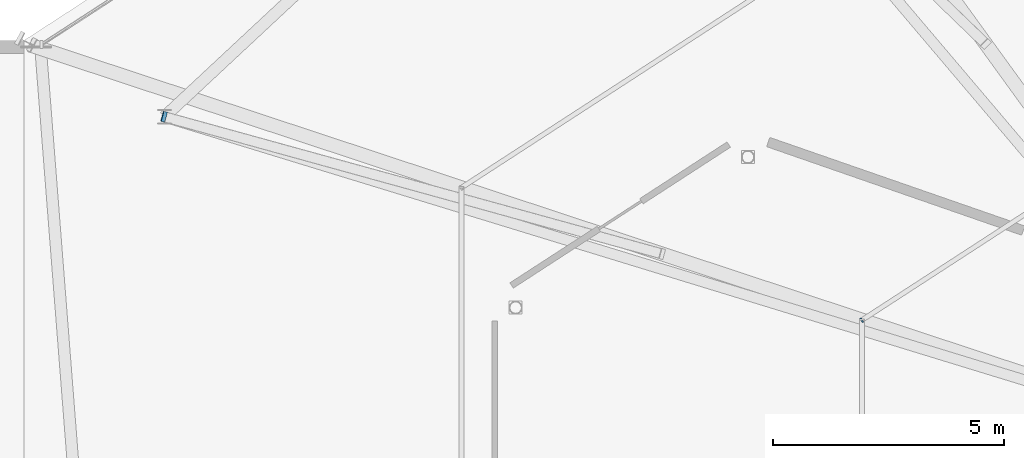
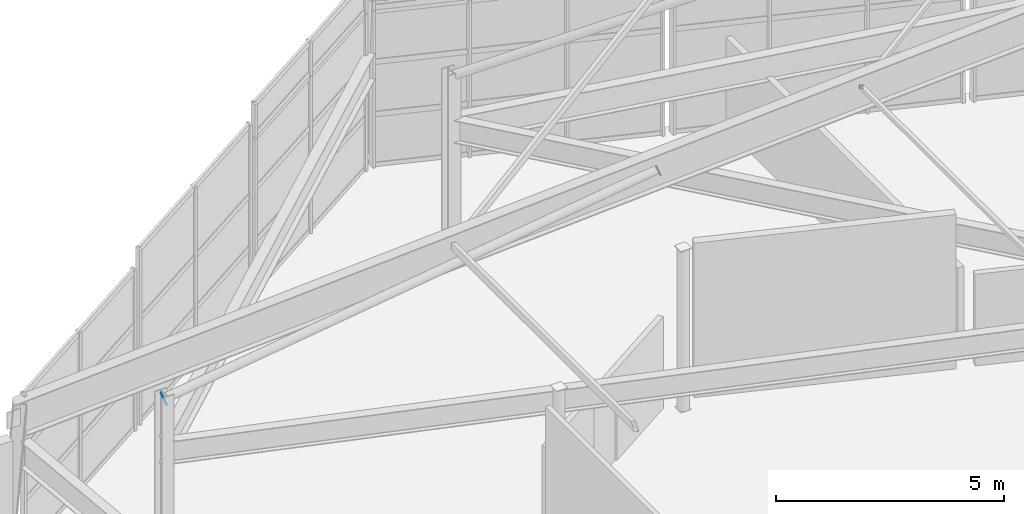
# One storey, part 35 of 50: 2 plates.
"""IFC4 building model written with IfcOpenShell, lengths in metres."""

from ifc_helpers import new_model, si_unit, direction, frame, origin, origin_2d, place, context, subcontext, project, spatial, rectangle, extrude, material, layer, layer_set, type_object, element, save


model = new_model("IFC4")

# Units and contexts
model_context = context("Model", 3, precision=1e-05, world=origin(), true_north=direction((0.0, 1.0)))
body_context = subcontext(model_context, "Body", "Model", "MODEL_VIEW")
ifc_project = project(units=[si_unit("LENGTHUNIT", "METRE"), si_unit("AREAUNIT", "SQUARE_METRE"), si_unit("VOLUMEUNIT", "CUBIC_METRE"), si_unit("PLANEANGLEUNIT", "RADIAN"), si_unit("MASSUNIT", "GRAM", prefix="KILO")], contexts=[model_context])

# Site, building, storey
site_placement = place(None, origin())
site = spatial("IfcSite", under=ifc_project, at=site_placement, CompositionType="ELEMENT")
building_placement = place(site_placement, origin())
building = spatial("IfcBuilding", under=site, at=building_placement, Name="Sarnbrook Museum", CompositionType="ELEMENT")
storey_placement = place(building_placement, frame((0.0, 0.0, 28.10009765625)))
storey = spatial("IfcBuildingStorey", under=building, at=storey_placement, Name="L05", CompositionType="ELEMENT", Elevation=28.10009765625)

# Plates
ifc_material = material(Name="Structural Steel Grade 350L0 (AS/NZS 3678, fy = 340 MPa for 20 < t <= 40 mm)", Category="steel")
ifc_layer_1 = layer(ifc_material, 0.01611328125)
ifc_layer_set_1 = layer_set([ifc_layer_1], Name="Structural Steel Grade 350L0 (AS/NZS 3678, fy = 340 MPa for 20 < t <= 40 mm)")
plate_type_1 = type_object("IfcPlateType", Name="EndCapPlate_CAP100", PredefinedType="USERDEFINED", material=ifc_layer_set_1)
plate_1_placement = place(storey_placement, frame((140.29248046875, 96.54345703125, 9.871826171875), z_axis=(-0.836557083997, -0.54277351954, -0.074626749231), x_axis=(0.544291255903, -0.83889631585, 0.0)))
element("IfcPlate", 1, at=plate_1_placement, inside=storey, type_object=plate_type_1, Name="Hollow End Cap Plate CRPR:6:2-2", ObjectType="END CAP PLATE", PredefinedType="USERDEFINED", context=body_context, shape_type="SweptSolid", body=[
    extrude(rectangle(XDim=0.10009765625, YDim=0.10009765625, at=origin_2d()), origin(), (0.0, 0.0, 1.0), 0.01611328125),
])
ifc_layer_2 = layer(ifc_material, 0.01611328125)
ifc_layer_set_2 = layer_set([ifc_layer_2], Name="Structural Steel Grade 350L0 (AS/NZS 3678, fy = 340 MPa for 20 < t <= 40 mm)")
plate_type_2 = type_object("IfcPlateType", Name="EndCapPlate_CAP219", PredefinedType="USERDEFINED", material=ifc_layer_set_2)
plate_2_placement = place(storey_placement, frame((125.185546875, 100.944580078125, 4.144287109375), z_axis=(0.903087729009, -0.248855876486, 0.35000472347), x_axis=(0.265659380942, 0.96406695479, 0.0)))
element("IfcPlate", 2, at=plate_2_placement, inside=storey, type_object=plate_type_2, Name="Hollow End Cap Plate CRTR:WEB:7-1", ObjectType="END CAP PLATE", PredefinedType="USERDEFINED", context=body_context, shape_type="SweptSolid", body=[
    extrude(rectangle(XDim=0.22509765625, YDim=0.22509765625, at=origin_2d()), origin(), (0.0, 0.0, 1.0), 0.01611328125),
])

save(model, "model.ifc")
